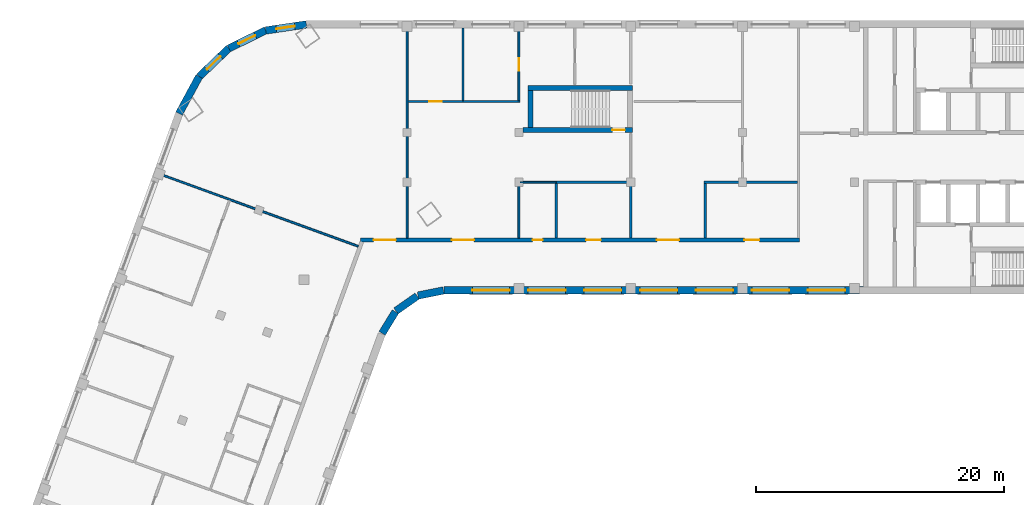
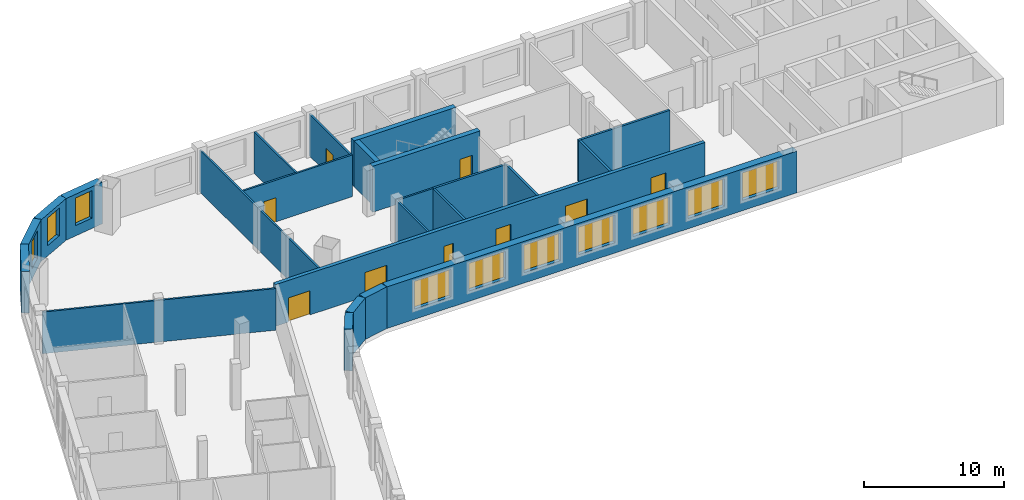
# One storey, part 4 of 8: 24 walls, 10 windows, 9 doors, 19 openings.
"""IFC4 building model written with IfcOpenShell, lengths in metres."""

from ifc_helpers import new_model, si_unit, direction, frame, frame_2d, origin, place, context, subcontext, project, spatial, rectangle, extrude, material, layer, layer_set, type_object, element, fill, save


model = new_model("IFC4")

# Units and contexts
model_context = context("Model", 3, precision=1e-05, world=origin(), true_north=direction((0.0, 1.0)))
body_context = subcontext(model_context, "Body", "Model", "MODEL_VIEW")
ifc_project = project(units=[si_unit("LENGTHUNIT", "METRE"), si_unit("AREAUNIT", "SQUARE_METRE"), si_unit("VOLUMEUNIT", "CUBIC_METRE"), si_unit("PLANEANGLEUNIT", "RADIAN"), si_unit("MASSUNIT", "GRAM", prefix="KILO")], contexts=[model_context])

# Site, building, storey
site_placement = place(None, origin())
site = spatial("IfcSite", under=ifc_project, at=site_placement, CompositionType="ELEMENT")
building_placement = place(site_placement, origin())
building = spatial("IfcBuilding", under=site, at=building_placement, Name="Skarvind Civic Tower", CompositionType="ELEMENT")
storey_placement = place(building_placement, frame((0.0, 0.0, 174.5)))
storey = spatial("IfcBuildingStorey", under=building, at=storey_placement, Name="L41", CompositionType="ELEMENT", Elevation=174.5)

# Walls
ifc_material_1 = material(Name="Acoustic gypsum board on steel studs", Category="steel")
ifc_layer_1 = layer(ifc_material_1, 0.175048828125)
ifc_layer_set_1 = layer_set([ifc_layer_1], Name="ACOUSTIC MEETING-ROOM PARTITION 175")
wall_type_1 = type_object("IfcWallType", Name="ACOUSTIC MEETING-ROOM PARTITION 175", PredefinedType="PARTITIONING", material=ifc_layer_set_1)
wall_1_placement = place(storey_placement, frame((66.25, 121.5, 0.0), z_axis=(0.0, 0.0, 1.0), x_axis=(0.0, 1.0, 0.0)))
element("IfcWall", 1, at=wall_1_placement, inside=storey, type_object=wall_type_1, Name="Partition 41.028", PredefinedType="PARTITIONING", context=body_context, shape_type="SweptSolid", body=[
    extrude(rectangle(XDim=4.412109375, YDim=0.175048828125, at=frame_2d((2.2060546875, 0.0))), origin(), (0.0, 0.0, 1.0), 3.625),
])
wall_2_placement = place(storey_placement, frame((66.25, 126.0, 0.0), z_axis=(0.0, 0.0, 1.0), x_axis=(1.0, 0.0, 0.0)))
element("IfcWall", 2, at=wall_2_placement, inside=storey, type_object=wall_type_1, Name="Partition 41.030", PredefinedType="PARTITIONING", context=body_context, shape_type="SweptSolid", body=[
    extrude(rectangle(XDim=6.0, YDim=0.175048828125, at=frame_2d((3.0, 0.0))), origin(), (0.0, 0.0, 1.0), 3.625),
])
wall_3_placement = place(storey_placement, frame((72.25, 121.5, 0.0), z_axis=(0.0, 0.0, 1.0), x_axis=(0.0, 1.0, 0.0)))
element("IfcWall", 3, at=wall_3_placement, inside=storey, type_object=wall_type_1, Name="Partition 41.032", PredefinedType="PARTITIONING", context=body_context, shape_type="SweptSolid", body=[
    extrude(rectangle(XDim=4.427978515625, YDim=0.175048828125, at=frame_2d((2.2138671875, 0.0))), origin(), (0.0, 0.0, 1.0), 3.625),
])
wall_4_placement = place(storey_placement, frame((78.25, 125.912109375, 0.0), z_axis=(0.0, 0.0, 1.0), x_axis=(0.0, -1.0, 0.0)))
element("IfcWall", 4, at=wall_4_placement, inside=storey, type_object=wall_type_1, Name="Partition 41.035", PredefinedType="PARTITIONING", context=body_context, shape_type="SweptSolid", body=[
    extrude(rectangle(XDim=4.412109375, YDim=0.175048828125, at=frame_2d((2.2060546875, 0.0))), origin(), (0.0, 0.0, 1.0), 3.625),
])
wall_5_placement = place(storey_placement, frame((78.162109375, 126.0, 0.0), z_axis=(0.0, 0.0, 1.0), x_axis=(1.0, 0.0, 0.0)))
element("IfcWall", 5, at=wall_5_placement, inside=storey, type_object=wall_type_1, Name="Partition 41.036", PredefinedType="PARTITIONING", context=body_context, shape_type="SweptSolid", body=[
    extrude(rectangle(XDim=7.5, YDim=0.175048828125, at=frame_2d((3.75, 0.0))), origin(), (0.0, 0.0, 1.0), 3.625),
])

# Wall, openings, doors
ifc_material_2 = material(Name="Fire-rated gypsum board on steel studs", Category="steel")
ifc_layer_2 = layer(ifc_material_2, 0.300048828125)
ifc_layer_set_2 = layer_set([ifc_layer_2], Name="CORRIDOR WALL 300")
wall_type_2 = type_object("IfcWallType", Name="CORRIDOR WALL 300", PredefinedType="PARTITIONING", material=ifc_layer_set_2)
wall_6_placement = place(storey_placement, frame((50.506103515625, 121.35009765625, 0.0), z_axis=(0.0, 0.0, 1.0), x_axis=(1.0, 0.0, 0.0)))
wall_6 = element("IfcWall", 6, at=wall_6_placement, inside=storey, type_object=wall_type_2, Name="Partition 41.022", PredefinedType="PARTITIONING", context=body_context, shape_type="SweptSolid", body=[
    extrude(rectangle(XDim=35.331787109375, YDim=0.300048828125, at=frame_2d((17.666015625, 0.0))), origin(), (0.0, 0.0, 1.0), 3.625),
])
opening_1_placement = place(wall_6_placement, frame((30.89404296875, 0.0, 0.0)))
opening_1 = element("IfcOpeningElement", 7, at=opening_1_placement, cuts=wall_6, Name="Opening L41-D002", PredefinedType="OPENING", context=body_context, shape_type="SweptSolid", body=[
    extrude(rectangle(XDim=1.199951171875, YDim=2.10009765625, at=frame_2d((0.60009765625, 1.050048828125))), frame((0.0, 0.159912109375, 0.0), z_axis=(0.0, -1.0, 0.0), x_axis=(1.0, 0.0, 0.0)), (0.0, 0.0, 1.0), 0.320068359375),
])
opening_2_placement = place(wall_6_placement, frame((23.843994140625, 0.0, 0.0)))
opening_2 = element("IfcOpeningElement", 8, at=opening_2_placement, cuts=wall_6, Name="Opening L41-D004", PredefinedType="OPENING", context=body_context, shape_type="SweptSolid", body=[
    extrude(rectangle(XDim=1.800048828125, YDim=2.10009765625, at=frame_2d((0.89990234375, 1.050048828125))), frame((0.0, 0.159912109375, 0.0), z_axis=(0.0, -1.0, 0.0), x_axis=(1.0, 0.0, 0.0)), (0.0, 0.0, 1.0), 0.320068359375),
])
opening_3_placement = place(wall_6_placement, frame((18.14404296875, 0.0, 0.0)))
opening_3 = element("IfcOpeningElement", 9, at=opening_3_placement, cuts=wall_6, Name="Opening L41-D005", PredefinedType="OPENING", context=body_context, shape_type="SweptSolid", body=[
    extrude(rectangle(XDim=1.199951171875, YDim=2.10009765625, at=frame_2d((0.60009765625, 1.050048828125))), frame((0.0, 0.159912109375, 0.0), z_axis=(0.0, -1.0, 0.0), x_axis=(1.0, 0.0, 0.0)), (0.0, 0.0, 1.0), 0.320068359375),
])
opening_4_placement = place(wall_6_placement, frame((13.843994140625, 0.0, 0.0)))
opening_4 = element("IfcOpeningElement", 10, at=opening_4_placement, cuts=wall_6, Name="Opening L41-D006", PredefinedType="OPENING", context=body_context, shape_type="SweptSolid", body=[
    extrude(rectangle(XDim=0.800048828125, YDim=2.10009765625, at=frame_2d((0.39990234375, 1.050048828125))), frame((0.0, 0.159912109375, 0.0), z_axis=(0.0, -1.0, 0.0), x_axis=(1.0, 0.0, 0.0)), (0.0, 0.0, 1.0), 0.320068359375),
])
opening_5_placement = place(wall_6_placement, frame((7.343994140625, 0.0, 0.0)))
opening_5 = element("IfcOpeningElement", 11, at=opening_5_placement, cuts=wall_6, Name="Opening L41-D010", PredefinedType="OPENING", context=body_context, shape_type="SweptSolid", body=[
    extrude(rectangle(XDim=1.800048828125, YDim=2.10009765625, at=frame_2d((0.89990234375, 1.050048828125))), frame((0.0, 0.159912109375, 0.0), z_axis=(0.0, -1.0, 0.0), x_axis=(1.0, 0.0, 0.0)), (0.0, 0.0, 1.0), 0.320068359375),
])
opening_6_placement = place(wall_6_placement, frame((1.047119140625, 0.0, 0.0)))
opening_6 = element("IfcOpeningElement", 12, at=opening_6_placement, cuts=wall_6, Name="Opening L41-D021", PredefinedType="OPENING", context=body_context, shape_type="SweptSolid", body=[
    extrude(rectangle(XDim=1.800048828125, YDim=2.10009765625, at=frame_2d((0.89990234375, 1.050048828125))), frame((0.0, 0.159912109375, 0.0), z_axis=(0.0, -1.0, 0.0), x_axis=(1.0, 0.0, 0.0)), (0.0, 0.0, 1.0), 0.320068359375),
])
ifc_material_3 = material(Name="Fire-rated timber door leaf", Category="wood")
door_type_1 = type_object("IfcDoorType", Name="FD4 1800x2100", OperationType="NOTDEFINED", PredefinedType="DOOR", material=ifc_material_3)
door_1_placement = place(opening_2_placement, origin())
door_1 = element("IfcDoor", 13, at=door_1_placement, inside=storey, type_object=door_type_1, Name="Door L41-D004", OperationType="DOUBLE_DOOR_SINGLE_SWING", OverallHeight=2.10009765625, OverallWidth=1.800048828125, PredefinedType="DOOR", context=body_context, shape_type="SweptSolid", body=[
    extrude(rectangle(XDim=1.800048828125, YDim=2.10009765625, at=frame_2d((0.89990234375, 1.050048828125))), frame((0.0, 0.02490234375, 0.0), z_axis=(0.0, -1.0, 0.0), x_axis=(1.0, 0.0, 0.0)), (0.0, 0.0, 1.0), 0.050048828125),
])
fill(opening_2, door_1)
door_2_placement = place(opening_5_placement, origin())
door_2 = element("IfcDoor", 14, at=door_2_placement, inside=storey, type_object=door_type_1, Name="Door L41-D010", OperationType="DOUBLE_DOOR_SINGLE_SWING", OverallHeight=2.10009765625, OverallWidth=1.800048828125, PredefinedType="DOOR", context=body_context, shape_type="SweptSolid", body=[
    extrude(rectangle(XDim=1.800048828125, YDim=2.10009765625, at=frame_2d((0.89990234375, 1.050048828125))), frame((0.0, 0.02490234375, 0.0), z_axis=(0.0, -1.0, 0.0), x_axis=(1.0, 0.0, 0.0)), (0.0, 0.0, 1.0), 0.050048828125),
])
fill(opening_5, door_2)
door_3_placement = place(opening_6_placement, origin())
door_3 = element("IfcDoor", 15, at=door_3_placement, inside=storey, type_object=door_type_1, Name="Door L41-D021", OperationType="DOUBLE_DOOR_SINGLE_SWING", OverallHeight=2.10009765625, OverallWidth=1.800048828125, PredefinedType="DOOR", context=body_context, shape_type="SweptSolid", body=[
    extrude(rectangle(XDim=1.800048828125, YDim=2.10009765625, at=frame_2d((0.89990234375, 1.050048828125))), frame((0.0, 0.02490234375, 0.0), z_axis=(0.0, -1.0, 0.0), x_axis=(1.0, 0.0, 0.0)), (0.0, 0.0, 1.0), 0.050048828125),
])
fill(opening_6, door_3)
door_type_2 = type_object("IfcDoorType", Name="FD5 800x2100", OperationType="NOTDEFINED", PredefinedType="DOOR", material=ifc_material_3)
door_4_placement = place(opening_4_placement, origin())
door_4 = element("IfcDoor", 16, at=door_4_placement, inside=storey, type_object=door_type_2, Name="Door L41-D006", OperationType="SINGLE_SWING_LEFT", OverallHeight=2.10009765625, OverallWidth=0.800048828125, PredefinedType="DOOR", context=body_context, shape_type="SweptSolid", body=[
    extrude(rectangle(XDim=0.800048828125, YDim=2.10009765625, at=frame_2d((0.39990234375, 1.050048828125))), frame((0.0, 0.02490234375, 0.0), z_axis=(0.0, -1.0, 0.0), x_axis=(1.0, 0.0, 0.0)), (0.0, 0.0, 1.0), 0.050048828125),
])
fill(opening_4, door_4)
door_type_3 = type_object("IfcDoorType", Name="FD6 1200x2100 DOUBLE", OperationType="NOTDEFINED", PredefinedType="DOOR", material=ifc_material_3)
door_5_placement = place(opening_1_placement, origin())
door_5 = element("IfcDoor", 17, at=door_5_placement, inside=storey, type_object=door_type_3, Name="Door L41-D002", OperationType="DOUBLE_DOOR_SINGLE_SWING", OverallHeight=2.10009765625, OverallWidth=1.199951171875, PredefinedType="DOOR", context=body_context, shape_type="SweptSolid", body=[
    extrude(rectangle(XDim=1.199951171875, YDim=2.10009765625, at=frame_2d((0.60009765625, 1.050048828125))), frame((0.0, 0.02490234375, 0.0), z_axis=(0.0, -1.0, 0.0), x_axis=(1.0, 0.0, 0.0)), (0.0, 0.0, 1.0), 0.050048828125),
])
fill(opening_1, door_5)
door_6_placement = place(opening_3_placement, origin())
door_6 = element("IfcDoor", 18, at=door_6_placement, inside=storey, type_object=door_type_3, Name="Door L41-D005", OperationType="DOUBLE_DOOR_SINGLE_SWING", OverallHeight=2.10009765625, OverallWidth=1.199951171875, PredefinedType="DOOR", context=body_context, shape_type="SweptSolid", body=[
    extrude(rectangle(XDim=1.199951171875, YDim=2.10009765625, at=frame_2d((0.60009765625, 1.050048828125))), frame((0.0, 0.02490234375, 0.0), z_axis=(0.0, -1.0, 0.0), x_axis=(1.0, 0.0, 0.0)), (0.0, 0.0, 1.0), 0.050048828125),
])
fill(opening_3, door_6)

# Wall, opening, door
ifc_material_4 = material(Name="Concrete C60", Category="concrete")
ifc_layer_3 = layer(ifc_material_4, 0.39990234375)
ifc_layer_set_3 = layer_set([ifc_layer_3], Name="Core wall 400 C60")
wall_type_3 = type_object("IfcWallType", Name="Core wall 400 C60", PredefinedType="SHEAR", material=ifc_layer_set_3)
wall_7_placement = place(storey_placement, frame((63.574951171875, 130.199951171875, 0.0), z_axis=(0.0, 0.0, 1.0), x_axis=(1.0, 0.0, 0.0)))
wall_7 = element("IfcWall", 19, at=wall_7_placement, inside=storey, type_object=wall_type_3, Name="Core wall CM inner L41", PredefinedType="SHEAR", context=body_context, shape_type="SweptSolid", body=[
    extrude(rectangle(XDim=8.824951171875, YDim=0.39990234375, at=frame_2d((4.41259765625, 0.0))), origin(), (0.0, 0.0, 1.0), 4.0),
])
opening_7_placement = place(wall_7_placement, frame((7.199951171875, 0.0, 0.0)))
opening_7 = element("IfcOpeningElement", 20, at=opening_7_placement, cuts=wall_7, Name="Opening D-L41-CM-01", PredefinedType="OPENING", context=body_context, shape_type="SweptSolid", body=[
    extrude(rectangle(XDim=1.0, YDim=2.10009765625, at=frame_2d((0.5, 1.050048828125))), frame((0.0, 0.2099609375, 0.0), z_axis=(0.0, -1.0, 0.0), x_axis=(1.0, 0.0, 0.0)), (0.0, 0.0, 1.0), 0.419921875),
])
ifc_material_5 = material(Name="Fire-rated steel door", Category="steel")
door_type_4 = type_object("IfcDoorType", Name="Fire door 1000", OperationType="NOTDEFINED", PredefinedType="DOOR", material=ifc_material_5)
door_7_placement = place(opening_7_placement, origin())
door_7 = element("IfcDoor", 21, at=door_7_placement, inside=storey, type_object=door_type_4, Name="Fire door", OperationType="SINGLE_SWING_LEFT", OverallHeight=2.10009765625, OverallWidth=1.0, PredefinedType="DOOR", context=body_context, shape_type="SweptSolid", body=[
    extrude(rectangle(XDim=1.0, YDim=2.10009765625, at=frame_2d((0.5, 1.050048828125))), frame((0.0, 0.02490234375, 0.0), z_axis=(0.0, -1.0, 0.0), x_axis=(1.0, 0.0, 0.0)), (0.0, 0.0, 1.0), 0.050048828125),
])
fill(opening_7, door_7)

# Walls
wall_8_placement = place(storey_placement, frame((64.0, 133.60009765625, 0.0), z_axis=(0.0, 0.0, 1.0), x_axis=(1.0, 0.0, 0.0)))
element("IfcWall", 22, at=wall_8_placement, inside=storey, type_object=wall_type_3, Name="Core wall CM outer L41", PredefinedType="SHEAR", context=body_context, shape_type="SweptSolid", body=[
    extrude(rectangle(XDim=8.39990234375, YDim=0.39990234375, at=frame_2d((4.199951171875, 0.0))), origin(), (0.0, 0.0, 1.0), 4.0),
])
wall_9_placement = place(storey_placement, frame((64.199951171875, 130.39990234375, 0.0), z_axis=(0.0, 0.0, 1.0), x_axis=(0.0, 1.0, 0.0)))
element("IfcWall", 23, at=wall_9_placement, inside=storey, type_object=wall_type_3, Name="Core wall CM west L41", PredefinedType="SHEAR", context=body_context, shape_type="SweptSolid", body=[
    extrude(rectangle(XDim=3.0, YDim=0.39990234375, at=frame_2d((1.5, 0.0))), origin(), (0.0, 0.0, 1.0), 4.0),
])
ifc_material_6 = material(Name="Plasterboard partition on steel studs", Category="steel")
ifc_layer_4 = layer(ifc_material_6, 0.14990234375)
ifc_layer_set_4 = layer_set([ifc_layer_4], Name="PARTITION 150")
wall_type_4 = type_object("IfcWallType", Name="PARTITION 150", PredefinedType="PARTITIONING", material=ifc_layer_set_4)
wall_10_placement = place(storey_placement, frame((34.430908203125, 126.6240234375, 0.0), z_axis=(0.0, 0.0, 1.0), x_axis=(0.939678226331, -0.342059689177, 0.0)))
element("IfcWall", 24, at=wall_10_placement, inside=storey, type_object=wall_type_4, Name="Partition 41.006", PredefinedType="PARTITIONING", context=body_context, shape_type="SweptSolid", body=[
    extrude(rectangle(XDim=16.900634765625, YDim=0.14990234375, at=frame_2d((8.4501953125, 0.0))), origin(), (0.0, 0.0, 1.0), 3.625),
])
wall_11_placement = place(storey_placement, frame((54.25, 121.5, 0.0), z_axis=(0.0, 0.0, 1.0), x_axis=(0.0, 1.0, 0.0)))
element("IfcWall", 25, at=wall_11_placement, inside=storey, type_object=wall_type_4, Name="Partition 41.023", PredefinedType="PARTITIONING", context=body_context, shape_type="SweptSolid", body=[
    extrude(rectangle(XDim=16.89990234375, YDim=0.14990234375, at=frame_2d((8.449951171875, 0.0))), origin(), (0.0, 0.0, 1.0), 3.625),
])

# Wall, opening, door
wall_12_placement = place(storey_placement, frame((63.324951171875, 132.5, 0.0), z_axis=(0.0, 0.0, 1.0), x_axis=(-1.0, 0.0, 0.0)))
wall_12 = element("IfcWall", 26, at=wall_12_placement, inside=storey, type_object=wall_type_4, Name="Partition 41.024", PredefinedType="PARTITIONING", context=body_context, shape_type="SweptSolid", body=[
    extrude(rectangle(XDim=9.0, YDim=0.14990234375, at=frame_2d((4.5, 0.0))), origin(), (0.0, 0.0, 1.0), 3.625),
])
opening_8_placement = place(wall_12_placement, frame((6.297607421875, 0.0, 0.0)))
opening_8 = element("IfcOpeningElement", 27, at=opening_8_placement, cuts=wall_12, Name="Opening L41-D009", PredefinedType="OPENING", context=body_context, shape_type="SweptSolid", body=[
    extrude(rectangle(XDim=1.0, YDim=2.10009765625, at=frame_2d((0.5, 1.050048828125))), frame((0.0, 0.0849609375, 0.0), z_axis=(0.0, -1.0, 0.0), x_axis=(1.0, 0.0, 0.0)), (0.0, 0.0, 1.0), 0.169921875),
])
ifc_material_7 = material(Name="Timber door leaf", Category="wood")
door_type_5 = type_object("IfcDoorType", Name="D1 1000x2100", OperationType="NOTDEFINED", PredefinedType="DOOR", material=ifc_material_7)
door_8_placement = place(opening_8_placement, origin())
door_8 = element("IfcDoor", 28, at=door_8_placement, inside=storey, type_object=door_type_5, Name="Door L41-D009", OperationType="SINGLE_SWING_RIGHT", OverallHeight=2.10009765625, OverallWidth=1.0, PredefinedType="DOOR", context=body_context, shape_type="SweptSolid", body=[
    extrude(rectangle(XDim=1.0, YDim=2.10009765625, at=frame_2d((0.5, 1.050048828125))), frame((0.0, 0.02490234375, 0.0), z_axis=(0.0, -1.0, 0.0), x_axis=(1.0, 0.0, 0.0)), (0.0, 0.0, 1.0), 0.050048828125),
])
fill(opening_8, door_8)

# Walls
wall_13_placement = place(storey_placement, frame((58.75, 132.574951171875, 0.0), z_axis=(0.0, 0.0, 1.0), x_axis=(0.0, 1.0, 0.0)))
element("IfcWall", 29, at=wall_13_placement, inside=storey, type_object=wall_type_4, Name="Partition 41.025", PredefinedType="PARTITIONING", context=body_context, shape_type="SweptSolid", body=[
    extrude(rectangle(XDim=5.824951171875, YDim=0.14990234375, at=frame_2d((2.91259765625, 0.0))), origin(), (0.0, 0.0, 1.0), 3.625),
])
wall_14_placement = place(storey_placement, frame((63.25, 126.074951171875, 0.0), z_axis=(0.0, 0.0, 1.0), x_axis=(0.0, -1.0, 0.0)))
element("IfcWall", 30, at=wall_14_placement, inside=storey, type_object=wall_type_4, Name="Partition 41.026", PredefinedType="PARTITIONING", context=body_context, shape_type="SweptSolid", body=[
    extrude(rectangle(XDim=4.574951171875, YDim=0.14990234375, at=frame_2d((2.28759765625, 0.0))), origin(), (0.0, 0.0, 1.0), 3.625),
])

# Wall, opening, door
wall_15_placement = place(storey_placement, frame((63.25, 138.39990234375, 0.0), z_axis=(0.0, 0.0, 1.0), x_axis=(0.0, -1.0, 0.0)))
wall_15 = element("IfcWall", 31, at=wall_15_placement, inside=storey, type_object=wall_type_4, Name="Partition 41.027", PredefinedType="PARTITIONING", context=body_context, shape_type="SweptSolid", body=[
    extrude(rectangle(XDim=5.824951171875, YDim=0.14990234375, at=frame_2d((2.91259765625, 0.0))), origin(), (0.0, 0.0, 1.0), 3.625),
])
opening_9_placement = place(wall_15_placement, frame((2.422607421875, 0.0, 0.0)))
opening_9 = element("IfcOpeningElement", 32, at=opening_9_placement, cuts=wall_15, Name="Opening L41-D008", PredefinedType="OPENING", context=body_context, shape_type="SweptSolid", body=[
    extrude(rectangle(XDim=1.0, YDim=2.10009765625, at=frame_2d((0.5, 1.050048828125))), frame((0.0, 0.0849609375, 0.0), z_axis=(0.0, -1.0, 0.0), x_axis=(1.0, 0.0, 0.0)), (0.0, 0.0, 1.0), 0.169921875),
])
door_9_placement = place(opening_9_placement, origin())
door_9 = element("IfcDoor", 33, at=door_9_placement, inside=storey, type_object=door_type_5, Name="Door L41-D008", OperationType="SINGLE_SWING_LEFT", OverallHeight=2.10009765625, OverallWidth=1.0, PredefinedType="DOOR", context=body_context, shape_type="SweptSolid", body=[
    extrude(rectangle(XDim=1.0, YDim=2.10009765625, at=frame_2d((0.5, 1.050048828125))), frame((0.0, 0.02490234375, 0.0), z_axis=(0.0, -1.0, 0.0), x_axis=(1.0, 0.0, 0.0)), (0.0, 0.0, 1.0), 0.050048828125),
])
fill(opening_9, door_9)

# Walls
wall_16_placement = place(storey_placement, frame((66.25, 126.0, 0.0), z_axis=(0.0, 0.0, 1.0), x_axis=(-1.0, 0.0, 0.0)))
element("IfcWall", 34, at=wall_16_placement, inside=storey, type_object=wall_type_4, Name="Partition 41.029", PredefinedType="PARTITIONING", context=body_context, shape_type="SweptSolid", body=[
    extrude(rectangle(XDim=2.925048828125, YDim=0.14990234375, at=frame_2d((1.46240234375, 0.0))), origin(), (0.0, 0.0, 1.0), 3.625),
])
ifc_material_8 = material(Name="Limestone masonry cladding on insulated backing", Category="masonry")
ifc_layer_5 = layer(ifc_material_8, 0.60009765625)
ifc_layer_set_5 = layer_set([ifc_layer_5], Name="WX1 STONE FACADE WALL 600")
wall_type_5 = type_object("IfcWallType", Name="WX1 STONE FACADE WALL 600", PredefinedType="SOLIDWALL", material=ifc_layer_set_5)
wall_17_placement = place(storey_placement, frame((53.30517578125, 115.578369140625, 0.0), z_axis=(0.0, 0.0, 1.0), x_axis=(-0.522402266438, -0.852699168535, 0.0)))
element("IfcWall", 35, at=wall_17_placement, inside=storey, type_object=wall_type_5, Name="STONE FACADE WALL", PredefinedType="SOLIDWALL", context=body_context, shape_type="SweptSolid", body=[
    extrude(rectangle(XDim=2.042236328125, YDim=0.60009765625, at=frame_2d((1.02099609375, 0.0))), origin(), (0.0, 0.0, 1.0), 3.625),
])
for number, where, z_axis, x_axis, name in (
    (36, (55.061767578125, 116.8388671875, 0.0), (0.0, 0.0, 1.0), (-0.819122269495, -0.573618956815, 0.0), "STONE FACADE WALL"),
    (37, (57.17529296875, 117.2939453125, 0.0), (0.0, 0.0, 1.0), (-0.97996099083, -0.19918949885, 0.0), "STONE FACADE WALL"),
):
    element("IfcWall", number, at=place(storey_placement, frame(where, z_axis=z_axis, x_axis=x_axis)), inside=storey, type_object=wall_type_5, Name=name, PredefinedType="SOLIDWALL", context=body_context, shape_type="SweptSolid", body=[
        extrude(rectangle(XDim=2.09228515625, YDim=0.60009765625, at=frame_2d((1.046142578125, 0.0))), origin(), (0.0, 0.0, 1.0), 3.625),
    ])

# Wall, openings, windows
wall_18_placement = place(storey_placement, frame((90.97998046875, 117.300048828125, 0.0), z_axis=(0.0, 0.0, 1.0), x_axis=(-1.0, 0.0, 0.0)))
wall_18 = element("IfcWall", 38, at=wall_18_placement, inside=storey, type_object=wall_type_5, Name="STONE FACADE WALL", PredefinedType="SOLIDWALL", context=body_context, shape_type="SweptSolid", body=[
    extrude(rectangle(XDim=33.744873046875, YDim=0.60009765625, at=frame_2d((16.87255859375, 0.0))), origin(), (0.0, 0.0, 1.0), 3.625),
])
opening_10_placement = place(wall_18_placement, frame((1.47998046875, 0.0, 0.89990234375)))
opening_10 = element("IfcOpeningElement", 39, at=opening_10_placement, cuts=wall_18, Name="Opening WN1", PredefinedType="OPENING", context=body_context, shape_type="SweptSolid", body=[
    extrude(rectangle(XDim=3.0, YDim=2.39990234375, at=frame_2d((1.5, 1.199951171875))), frame((0.0, 0.31005859375, 0.0), z_axis=(0.0, -1.0, 0.0), x_axis=(1.0, 0.0, 0.0)), (0.0, 0.0, 1.0), 0.6201171875),
])
opening_11_placement = place(wall_18_placement, frame((5.97998046875, 0.0, 0.89990234375)))
opening_11 = element("IfcOpeningElement", 40, at=opening_11_placement, cuts=wall_18, Name="Opening WN1", PredefinedType="OPENING", context=body_context, shape_type="SweptSolid", body=[
    extrude(rectangle(XDim=3.0, YDim=2.39990234375, at=frame_2d((1.5, 1.199951171875))), frame((0.0, 0.31005859375, 0.0), z_axis=(0.0, -1.0, 0.0), x_axis=(1.0, 0.0, 0.0)), (0.0, 0.0, 1.0), 0.6201171875),
])
opening_12_placement = place(wall_18_placement, frame((10.47998046875, 0.0, 0.89990234375)))
opening_12 = element("IfcOpeningElement", 41, at=opening_12_placement, cuts=wall_18, Name="Opening WN1", PredefinedType="OPENING", context=body_context, shape_type="SweptSolid", body=[
    extrude(rectangle(XDim=3.0, YDim=2.39990234375, at=frame_2d((1.5, 1.199951171875))), frame((0.0, 0.31005859375, 0.0), z_axis=(0.0, -1.0, 0.0), x_axis=(1.0, 0.0, 0.0)), (0.0, 0.0, 1.0), 0.6201171875),
])
opening_13_placement = place(wall_18_placement, frame((14.97998046875, 0.0, 0.89990234375)))
opening_13 = element("IfcOpeningElement", 42, at=opening_13_placement, cuts=wall_18, Name="Opening WN1", PredefinedType="OPENING", context=body_context, shape_type="SweptSolid", body=[
    extrude(rectangle(XDim=3.0, YDim=2.39990234375, at=frame_2d((1.5, 1.199951171875))), frame((0.0, 0.31005859375, 0.0), z_axis=(0.0, -1.0, 0.0), x_axis=(1.0, 0.0, 0.0)), (0.0, 0.0, 1.0), 0.6201171875),
])
opening_14_placement = place(wall_18_placement, frame((19.47998046875, 0.0, 0.89990234375)))
opening_14 = element("IfcOpeningElement", 43, at=opening_14_placement, cuts=wall_18, Name="Opening WN1", PredefinedType="OPENING", context=body_context, shape_type="SweptSolid", body=[
    extrude(rectangle(XDim=3.0, YDim=2.39990234375, at=frame_2d((1.5, 1.199951171875))), frame((0.0, 0.31005859375, 0.0), z_axis=(0.0, -1.0, 0.0), x_axis=(1.0, 0.0, 0.0)), (0.0, 0.0, 1.0), 0.6201171875),
])
opening_15_placement = place(wall_18_placement, frame((23.97998046875, 0.0, 0.89990234375)))
opening_15 = element("IfcOpeningElement", 44, at=opening_15_placement, cuts=wall_18, Name="Opening WN1", PredefinedType="OPENING", context=body_context, shape_type="SweptSolid", body=[
    extrude(rectangle(XDim=3.0, YDim=2.39990234375, at=frame_2d((1.5, 1.199951171875))), frame((0.0, 0.31005859375, 0.0), z_axis=(0.0, -1.0, 0.0), x_axis=(1.0, 0.0, 0.0)), (0.0, 0.0, 1.0), 0.6201171875),
])
opening_16_placement = place(wall_18_placement, frame((28.47998046875, 0.0, 0.89990234375)))
opening_16 = element("IfcOpeningElement", 45, at=opening_16_placement, cuts=wall_18, Name="Opening WN1", PredefinedType="OPENING", context=body_context, shape_type="SweptSolid", body=[
    extrude(rectangle(XDim=3.0, YDim=2.39990234375, at=frame_2d((1.5, 1.199951171875))), frame((0.0, 0.31005859375, 0.0), z_axis=(0.0, -1.0, 0.0), x_axis=(1.0, 0.0, 0.0)), (0.0, 0.0, 1.0), 0.6201171875),
])
ifc_material_9 = material(Name="Timber frame, double glazing, timber-lined reveal", Category="wood")
window_type_1 = type_object("IfcWindowType", Name="WN1 PUNCHED STONE WINDOW 3000 x 2400", PartitioningType="SINGLE_PANEL", PredefinedType="WINDOW", material=ifc_material_9)
window_1_placement = place(opening_10_placement, origin())
window_1 = element("IfcWindow", 46, at=window_1_placement, inside=storey, type_object=window_type_1, Name="WN1 WINDOW", OverallHeight=2.39990234375, OverallWidth=3.0, PartitioningType="SINGLE_PANEL", PredefinedType="WINDOW", context=body_context, shape_type="SweptSolid", body=[
    extrude(rectangle(XDim=3.0, YDim=2.39990234375, at=frame_2d((1.5, 1.199951171875))), frame((0.0, 0.030029296875, 0.0), z_axis=(0.0, -1.0, 0.0), x_axis=(1.0, 0.0, 0.0)), (0.0, 0.0, 1.0), 0.06005859375),
])
fill(opening_10, window_1)
window_2_placement = place(opening_11_placement, origin())
window_2 = element("IfcWindow", 47, at=window_2_placement, inside=storey, type_object=window_type_1, Name="WN1 WINDOW", OverallHeight=2.39990234375, OverallWidth=3.0, PartitioningType="SINGLE_PANEL", PredefinedType="WINDOW", context=body_context, shape_type="SweptSolid", body=[
    extrude(rectangle(XDim=3.0, YDim=2.39990234375, at=frame_2d((1.5, 1.199951171875))), frame((0.0, 0.030029296875, 0.0), z_axis=(0.0, -1.0, 0.0), x_axis=(1.0, 0.0, 0.0)), (0.0, 0.0, 1.0), 0.06005859375),
])
fill(opening_11, window_2)
window_3_placement = place(opening_12_placement, origin())
window_3 = element("IfcWindow", 48, at=window_3_placement, inside=storey, type_object=window_type_1, Name="WN1 WINDOW", OverallHeight=2.39990234375, OverallWidth=3.0, PartitioningType="SINGLE_PANEL", PredefinedType="WINDOW", context=body_context, shape_type="SweptSolid", body=[
    extrude(rectangle(XDim=3.0, YDim=2.39990234375, at=frame_2d((1.5, 1.199951171875))), frame((0.0, 0.030029296875, 0.0), z_axis=(0.0, -1.0, 0.0), x_axis=(1.0, 0.0, 0.0)), (0.0, 0.0, 1.0), 0.06005859375),
])
fill(opening_12, window_3)
window_4_placement = place(opening_13_placement, origin())
window_4 = element("IfcWindow", 49, at=window_4_placement, inside=storey, type_object=window_type_1, Name="WN1 WINDOW", OverallHeight=2.39990234375, OverallWidth=3.0, PartitioningType="SINGLE_PANEL", PredefinedType="WINDOW", context=body_context, shape_type="SweptSolid", body=[
    extrude(rectangle(XDim=3.0, YDim=2.39990234375, at=frame_2d((1.5, 1.199951171875))), frame((0.0, 0.030029296875, 0.0), z_axis=(0.0, -1.0, 0.0), x_axis=(1.0, 0.0, 0.0)), (0.0, 0.0, 1.0), 0.06005859375),
])
fill(opening_13, window_4)
window_5_placement = place(opening_14_placement, origin())
window_5 = element("IfcWindow", 50, at=window_5_placement, inside=storey, type_object=window_type_1, Name="WN1 WINDOW", OverallHeight=2.39990234375, OverallWidth=3.0, PartitioningType="SINGLE_PANEL", PredefinedType="WINDOW", context=body_context, shape_type="SweptSolid", body=[
    extrude(rectangle(XDim=3.0, YDim=2.39990234375, at=frame_2d((1.5, 1.199951171875))), frame((0.0, 0.030029296875, 0.0), z_axis=(0.0, -1.0, 0.0), x_axis=(1.0, 0.0, 0.0)), (0.0, 0.0, 1.0), 0.06005859375),
])
fill(opening_14, window_5)
window_6_placement = place(opening_15_placement, origin())
window_6 = element("IfcWindow", 51, at=window_6_placement, inside=storey, type_object=window_type_1, Name="WN1 WINDOW", OverallHeight=2.39990234375, OverallWidth=3.0, PartitioningType="SINGLE_PANEL", PredefinedType="WINDOW", context=body_context, shape_type="SweptSolid", body=[
    extrude(rectangle(XDim=3.0, YDim=2.39990234375, at=frame_2d((1.5, 1.199951171875))), frame((0.0, 0.030029296875, 0.0), z_axis=(0.0, -1.0, 0.0), x_axis=(1.0, 0.0, 0.0)), (0.0, 0.0, 1.0), 0.06005859375),
])
fill(opening_15, window_6)
window_7_placement = place(opening_16_placement, origin())
window_7 = element("IfcWindow", 52, at=window_7_placement, inside=storey, type_object=window_type_1, Name="WN1 WINDOW", OverallHeight=2.39990234375, OverallWidth=3.0, PartitioningType="SINGLE_PANEL", PredefinedType="WINDOW", context=body_context, shape_type="SweptSolid", body=[
    extrude(rectangle(XDim=3.0, YDim=2.39990234375, at=frame_2d((1.5, 1.199951171875))), frame((0.0, 0.030029296875, 0.0), z_axis=(0.0, -1.0, 0.0), x_axis=(1.0, 0.0, 0.0)), (0.0, 0.0, 1.0), 0.06005859375),
])
fill(opening_16, window_7)

# Wall, opening, window
wall_19_placement = place(storey_placement, frame((42.872802734375, 138.21728515625, 0.0), z_axis=(0.0, 0.0, 1.0), x_axis=(0.989110792192, 0.14717282619, 0.0)))
wall_19 = element("IfcWall", 53, at=wall_19_placement, inside=storey, type_object=wall_type_5, Name="STONE FACADE WALL", PredefinedType="SOLIDWALL", context=body_context, shape_type="SweptSolid", body=[
    extrude(rectangle(XDim=3.302734375, YDim=0.60009765625, at=frame_2d((1.6513671875, 0.0))), origin(), (0.0, 0.0, 1.0), 3.625),
])
opening_17_placement = place(wall_19_placement, frame((0.8564453125, 0.0, 0.89990234375)))
opening_17 = element("IfcOpeningElement", 54, at=opening_17_placement, cuts=wall_19, Name="Opening WN8", PredefinedType="OPENING", context=body_context, shape_type="SweptSolid", body=[
    extrude(rectangle(XDim=1.5, YDim=2.39990234375, at=frame_2d((0.75, 1.199951171875))), frame((0.0, 0.31005859375, 0.0), z_axis=(0.0, -1.0, 0.0), x_axis=(1.0, 0.0, 0.0)), (0.0, 0.0, 1.0), 0.6201171875),
])
window_type_2 = type_object("IfcWindowType", Name="WN8 ARC BAY WINDOW 1500 x 2400", PartitioningType="SINGLE_PANEL", PredefinedType="WINDOW", material=ifc_material_9)
window_8_placement = place(opening_17_placement, origin())
window_8 = element("IfcWindow", 55, at=window_8_placement, inside=storey, type_object=window_type_2, Name="WN8 WINDOW", OverallHeight=2.39990234375, OverallWidth=1.5, PartitioningType="SINGLE_PANEL", PredefinedType="WINDOW", context=body_context, shape_type="SweptSolid", body=[
    extrude(rectangle(XDim=1.5, YDim=2.39990234375, at=frame_2d((0.75, 1.199951171875))), frame((0.0, 0.030029296875, 0.0), z_axis=(0.0, -1.0, 0.0), x_axis=(1.0, 0.0, 0.0)), (0.0, 0.0, 1.0), 0.06005859375),
])
fill(opening_17, window_8)

wall_20_placement = place(storey_placement, frame((39.9072265625, 136.77587890625, 0.0), z_axis=(0.0, 0.0, 1.0), x_axis=(0.89761231107, 0.440785819889, 0.0)))
wall_20 = element("IfcWall", 56, at=wall_20_placement, inside=storey, type_object=wall_type_5, Name="STONE FACADE WALL", PredefinedType="SOLIDWALL", context=body_context, shape_type="SweptSolid", body=[
    extrude(rectangle(XDim=3.302734375, YDim=0.60009765625, at=frame_2d((1.6513671875, 0.0))), origin(), (0.0, 0.0, 1.0), 3.625),
])
opening_18_placement = place(wall_20_placement, frame((0.8564453125, 0.0, 0.89990234375)))
opening_18 = element("IfcOpeningElement", 57, at=opening_18_placement, cuts=wall_20, Name="Opening WN8", PredefinedType="OPENING", context=body_context, shape_type="SweptSolid", body=[
    extrude(rectangle(XDim=1.5, YDim=2.39990234375, at=frame_2d((0.75, 1.199951171875))), frame((0.0, 0.31005859375, 0.0), z_axis=(0.0, -1.0, 0.0), x_axis=(1.0, 0.0, 0.0)), (0.0, 0.0, 1.0), 0.6201171875),
])
window_9_placement = place(opening_18_placement, origin())
window_9 = element("IfcWindow", 58, at=window_9_placement, inside=storey, type_object=window_type_2, Name="WN8 WINDOW", OverallHeight=2.39990234375, OverallWidth=1.5, PartitioningType="SINGLE_PANEL", PredefinedType="WINDOW", context=body_context, shape_type="SweptSolid", body=[
    extrude(rectangle(XDim=1.5, YDim=2.39990234375, at=frame_2d((0.75, 1.199951171875))), frame((0.0, 0.030029296875, 0.0), z_axis=(0.0, -1.0, 0.0), x_axis=(1.0, 0.0, 0.0)), (0.0, 0.0, 1.0), 0.06005859375),
])
fill(opening_18, window_9)

wall_21_placement = place(storey_placement, frame((37.520263671875, 134.501220703125, 0.0), z_axis=(0.0, 0.0, 1.0), x_axis=(0.72115684486, 0.692771827596, 0.0)))
wall_21 = element("IfcWall", 59, at=wall_21_placement, inside=storey, type_object=wall_type_5, Name="STONE FACADE WALL", PredefinedType="SOLIDWALL", context=body_context, shape_type="SweptSolid", body=[
    extrude(rectangle(XDim=3.302734375, YDim=0.60009765625, at=frame_2d((1.6513671875, 0.0))), origin(), (0.0, 0.0, 1.0), 3.625),
])
opening_19_placement = place(wall_21_placement, frame((0.8564453125, 0.0, 0.89990234375)))
opening_19 = element("IfcOpeningElement", 60, at=opening_19_placement, cuts=wall_21, Name="Opening WN8", PredefinedType="OPENING", context=body_context, shape_type="SweptSolid", body=[
    extrude(rectangle(XDim=1.5, YDim=2.39990234375, at=frame_2d((0.75, 1.199951171875))), frame((0.0, 0.31005859375, 0.0), z_axis=(0.0, -1.0, 0.0), x_axis=(1.0, 0.0, 0.0)), (0.0, 0.0, 1.0), 0.6201171875),
])
window_10_placement = place(opening_19_placement, origin())
window_10 = element("IfcWindow", 61, at=window_10_placement, inside=storey, type_object=window_type_2, Name="WN8 WINDOW", OverallHeight=2.39990234375, OverallWidth=1.5, PartitioningType="SINGLE_PANEL", PredefinedType="WINDOW", context=body_context, shape_type="SweptSolid", body=[
    extrude(rectangle(XDim=1.5, YDim=2.39990234375, at=frame_2d((0.75, 1.199951171875))), frame((0.0, 0.030029296875, 0.0), z_axis=(0.0, -1.0, 0.0), x_axis=(1.0, 0.0, 0.0)), (0.0, 0.0, 1.0), 0.06005859375),
])
fill(opening_19, window_10)

# Wall
wall_22_placement = place(storey_placement, frame((35.89453125, 131.529541015625, 0.0), z_axis=(0.0, 0.0, 1.0), x_axis=(0.476531180538, 0.879157570618, 0.0)))
element("IfcWall", 62, at=wall_22_placement, inside=storey, type_object=wall_type_5, Name="STONE FACADE WALL", PredefinedType="SOLIDWALL", context=body_context, shape_type="SweptSolid", body=[
    extrude(rectangle(XDim=3.392578125, YDim=0.60009765625, at=frame_2d((1.6962890625, 0.0))), origin(), (0.0, 0.0, 1.0), 3.625),
])

save(model, "model.ifc")
